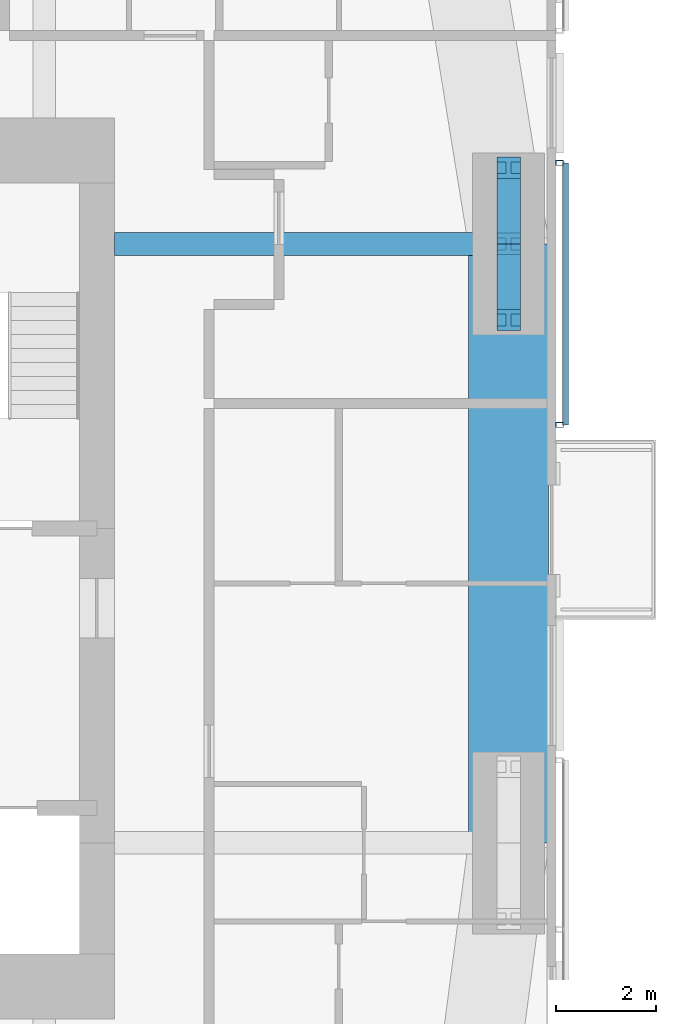
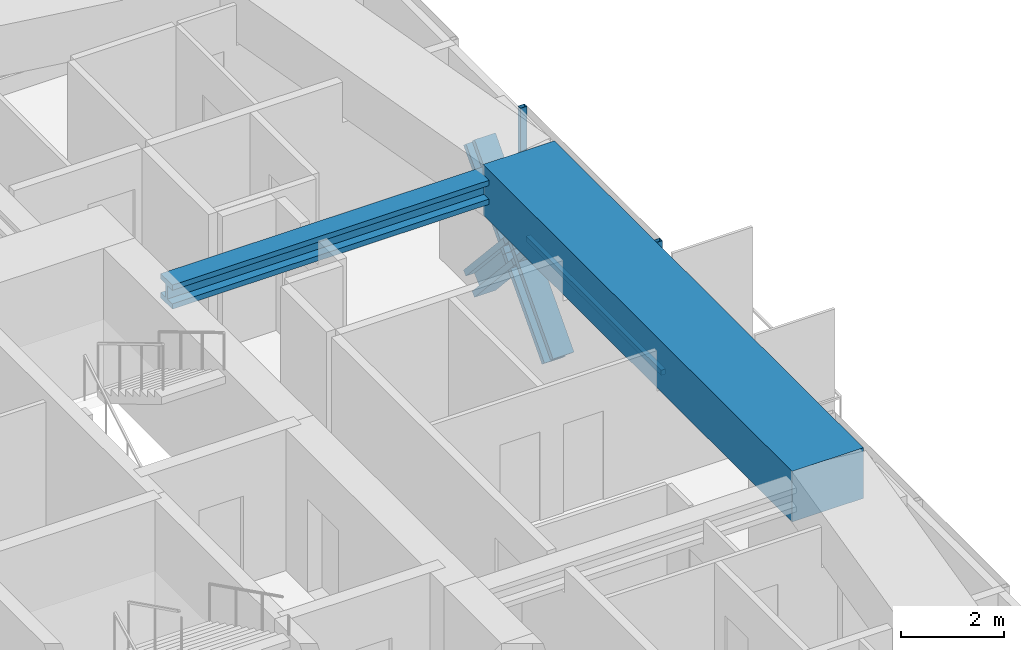
# One storey, part 9 of 23: 7 members, 2 beams, 1 element without a shape of its own.
"""IFC4 building model written with IfcOpenShell, lengths in metres."""

from ifc_helpers import new_model, si_unit, direction, frame, origin, origin_2d, place, context, subcontext, project, spatial, rectangle, hollow_rectangle, i_section, extrude, material, material_profile, profile_set, type_object, element, aggregate, save


model = new_model("IFC4")

# Units and contexts
model_context = context("Model", 3, precision=1e-05, world=origin(), true_north=direction((0.0, 1.0)))
body_context = subcontext(model_context, "Body", "Model", "MODEL_VIEW")
ifc_project = project(units=[si_unit("LENGTHUNIT", "METRE"), si_unit("AREAUNIT", "SQUARE_METRE"), si_unit("VOLUMEUNIT", "CUBIC_METRE"), si_unit("PLANEANGLEUNIT", "RADIAN"), si_unit("MASSUNIT", "GRAM", prefix="KILO")], contexts=[model_context])

# Site, building, storey
site_placement = place(None, origin())
site = spatial("IfcSite", under=ifc_project, at=site_placement, CompositionType="ELEMENT")
building_placement = place(site_placement, origin())
building = spatial("IfcBuilding", under=site, at=building_placement, Name="Jalousie Tower", CompositionType="ELEMENT")
storey_placement = place(building_placement, frame((0.0, 0.0, 187.85009765625)))
storey = spatial("IfcBuildingStorey", under=building, at=storey_placement, Name="L51", CompositionType="ELEMENT", Elevation=187.85009765625)

# Beam
ifc_material_1 = material(Name="Steel ASTM A992 Grade 50", Category="steel")
ifc_material_profile_1 = material_profile(ifc_material_1, i_section(OverallWidth=0.45458984375, OverallDepth=0.569091796875, WebThickness=0.077880859375, FlangeThickness=0.124755859375, at=origin_2d()), Name="W14X730")
ifc_profile_set_1 = profile_set([ifc_material_profile_1], Name="Steel ASTM A992 Grade 50")
beam_type_1 = type_object("IfcBeamType", Name="LEAN COLLECTOR W14X730", PredefinedType="BEAM", material=ifc_profile_set_1)
beam_1_placement = place(storey_placement, frame((52.050048828125, 25.0, 2.825439453125), z_axis=(-1.0, 0.0, 0.0), x_axis=(0.0, -1.0, 0.0)))
element("IfcBeam", 1, at=beam_1_placement, inside=storey, type_object=beam_type_1, Name="Lean collector under L52", PredefinedType="BEAM", context=body_context, shape_type="SweptSolid", body=[
    extrude(i_section(OverallWidth=0.45458984375, OverallDepth=0.569091796875, WebThickness=0.077880859375, FlangeThickness=0.124755859375, at=origin_2d()), origin(), (0.0, 0.0, 1.0), 7.900146484375),
])

# Members
ifc_material_2 = material(Name="Steel ASTM A992 Grade 50", Category="steel")
ifc_material_profile_2 = material_profile(ifc_material_2, i_section(OverallWidth=0.472412109375, OverallDepth=0.5791015625, WebThickness=0.094970703125, FlangeThickness=0.1298828125, at=origin_2d()), Name="W14X808")
ifc_profile_set_2 = profile_set([ifc_material_profile_2], Name="Steel ASTM A992 Grade 50")
member_type_1 = type_object("IfcMemberType", Name="PERIMETER BRACE W14X808", PredefinedType="BRACE", material=ifc_profile_set_2)
for number, where, z_axis, x_axis, name in (
    (2, (52.050048828125, 23.47509765625, -0.60009765625), (0.0, 0.673187629365, 0.739471713908), (-1.0, 0.0, 0.0), "Perimeter brace 07 L51 part 1"),
    (3, (52.050048828125, 25.0, 1.074951171875), (0.0, 0.673187629365, 0.739471713908), (-1.0, 0.0, 0.0), "Perimeter brace 07 L51 part 2"),
    (4, (52.050048828125, 26.52490234375, -0.60009765625), (0.0, -0.673187629365, 0.739471713908), (1.0, 0.0, 0.0), "Perimeter brace 07 L51 part 3"),
    (5, (52.050048828125, 25.0, 1.074951171875), (0.0, -0.673187629365, 0.739471713908), (1.0, 0.0, 0.0), "Perimeter brace 07 L51 part 4"),
):
    element("IfcMember", number, at=place(storey_placement, frame(where, z_axis=z_axis, x_axis=x_axis)), inside=storey, type_object=member_type_1, Name=name, PredefinedType="BRACE", context=body_context, shape_type="SweptSolid", body=[
        extrude(i_section(OverallWidth=0.472412109375, OverallDepth=0.5791015625, WebThickness=0.094970703125, FlangeThickness=0.1298828125, at=origin_2d()), origin(), (0.0, 0.0, 1.0), 2.26513671875),
    ])

# Beam
ifc_material_3 = material(Name="Concrete f'c 40 MPa", Category="concrete")
ifc_material_profile_3 = material_profile(ifc_material_3, rectangle(XDim=1.60009765625, YDim=1.199951171875, at=origin_2d()), Name="RC 1600x1200")
ifc_profile_set_3 = profile_set([ifc_material_profile_3], Name="Concrete f'c 40 MPa")
beam_type_2 = type_object("IfcBeamType", Name="RC BEAM 1600x1200", PredefinedType="BEAM", material=ifc_profile_set_3)
beam_2_placement = place(storey_placement, frame((52.050048828125, 13.0, 2.75), z_axis=(0.0, 1.0, 0.0), x_axis=(-1.0, 0.0, 0.0)))
element("IfcBeam", 6, at=beam_2_placement, inside=storey, type_object=beam_type_2, Name="Edge band beam 06-07 under L52", PredefinedType="BEAM", context=body_context, shape_type="SweptSolid", body=[
    extrude(rectangle(XDim=1.60009765625, YDim=1.199951171875, at=origin_2d()), origin(), (0.0, 0.0, 1.0), 12.0),
])

# Curtain wall, members
ifc_material_4 = material(Name="Perforated aluminium sheet", Category="aluminium")
curtain_wall_type = type_object("IfcCurtainWallType", Name="SOLAR SCREEN SS-1", PredefinedType="USERDEFINED", material=ifc_material_4)
curtain_wall_placement = place(storey_placement, origin())
curtain_wall = element("IfcCurtainWall", 7, at=curtain_wall_placement, inside=storey, type_object=curtain_wall_type, Name="Solar screen L51", ObjectType="SOLAR SCREEN SS-1", PredefinedType="USERDEFINED")
ifc_material_5 = material(Name="Steel ASTM A500 Grade C", Category="steel")
ifc_material_profile_4 = material_profile(ifc_material_5, hollow_rectangle(XDim=0.1015625, YDim=0.15234375, WallThickness=0.00634765625, at=origin_2d()), Name="HSS6X4X1/4")
ifc_profile_set_4 = profile_set([ifc_material_profile_4], Name="Steel ASTM A500 Grade C")
member_type_2 = type_object("IfcMemberType", Name="SOLAR SCREEN SS-1 MULLION", PredefinedType="MULLION", material=ifc_profile_set_4)
member_1_placement = place(storey_placement, frame((53.0712890625, 21.375, -0.1201171875), z_axis=(0.0, 0.0, 1.0), x_axis=(0.0, 1.0, 0.0)))
member_1 = element("IfcMember", 8, at=member_1_placement, type_object=member_type_2, Name="SS1 post 1", PredefinedType="MULLION", context=body_context, shape_type="SweptSolid", body=[
    extrude(hollow_rectangle(XDim=0.1015625, YDim=0.15234375, WallThickness=0.00634765625, at=origin_2d()), origin(), (0.0, 0.0, 1.0), 3.22998046875),
])
member_2_placement = place(storey_placement, frame((53.0712890625, 26.625, -0.1201171875), z_axis=(0.0, 0.0, 1.0), x_axis=(0.0, 1.0, 0.0)))
member_2 = element("IfcMember", 9, at=member_2_placement, type_object=member_type_2, Name="SS1 post 2", PredefinedType="MULLION", context=body_context, shape_type="SweptSolid", body=[
    extrude(hollow_rectangle(XDim=0.1015625, YDim=0.15234375, WallThickness=0.00634765625, at=origin_2d()), origin(), (0.0, 0.0, 1.0), 3.22998046875),
])
ifc_material_6 = material(Name="Extruded aluminium screen rail", Category="aluminium")
ifc_material_profile_5 = material_profile(ifc_material_6, rectangle(XDim=0.1015625, YDim=0.1201171875, at=origin_2d()), Name="RAIL 102x120")
ifc_profile_set_5 = profile_set([ifc_material_profile_5], Name="Extruded aluminium screen rail")
member_type_3 = type_object("IfcMemberType", Name="SOLAR SCREEN SS-1 TRANSOM", PredefinedType="USERDEFINED", material=ifc_profile_set_5)
member_3_placement = place(storey_placement, frame((53.1982421875, 21.375, -0.06005859375), z_axis=(0.0, 1.0, 0.0), x_axis=(-1.0, 0.0, 0.0)))
member_3 = element("IfcMember", 10, at=member_3_placement, type_object=member_type_3, Name="SS1 rail", ObjectType="TRANSOM", PredefinedType="USERDEFINED", context=body_context, shape_type="SweptSolid", body=[
    extrude(rectangle(XDim=0.1015625, YDim=0.1201171875, at=origin_2d()), origin(), (0.0, 0.0, 1.0), 5.25),
])
aggregate(curtain_wall, [member_1, member_2, member_3])

save(model, "model.ifc")
